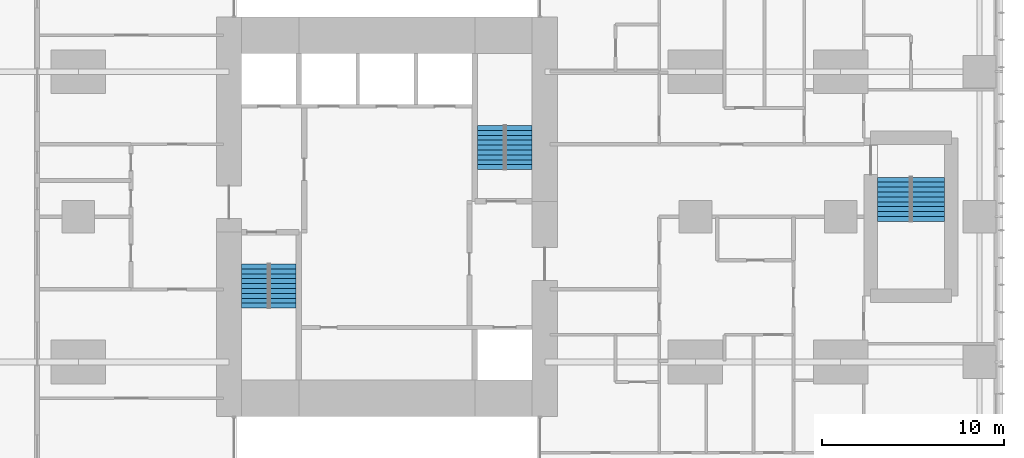
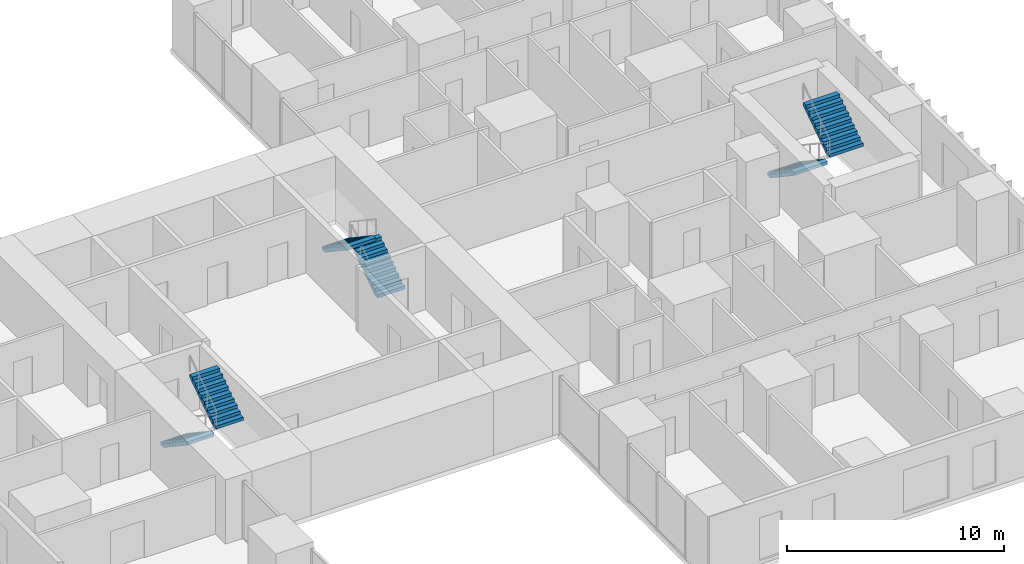
# One storey, part 14 of 15: 6 stair flights, 3 elements without a shape of their own.
"""IFC4 building model written with IfcOpenShell, lengths in metres."""

import ifcopenshell
import ifcopenshell.guid

model = None  # the IFC model being written
_history = None  # IfcOwnerHistory: only IFC2X3 demands one
_inside = {}  # id of a spatial element -> (the spatial element, [elements in it])
_under = {}  # id of a project, library or spatial element -> (it, [spatial elements below it])
_declared = {}  # id of a project -> (the project, [libraries it declares])
_typed = {}  # id of a type object -> (the type object, [elements of that type])
_made_of = {}  # id of a material, layer set ... -> (it, [elements and type objects made of it])


def new_model(schema):
    """Start an empty IFC model of exactly this schema.

    Asked for "IFC4X3", IfcOpenShell would pick the latest addendum, in which some entities
    have other attributes; the version numbers below select the first issue.
    IFC2X3 requires an IfcOwnerHistory on every rooted entity: one is made here for all.
    """
    global model, _history
    if schema == "IFC4X3":
        model = ifcopenshell.file(schema_version=(4, 3, 0, 0))
    else:
        model = ifcopenshell.file(schema=schema)
    _inside.clear()
    _under.clear()
    _declared.clear()
    _typed.clear()
    _made_of.clear()
    _history = None
    if model.schema == "IFC2X3":
        org = make("IfcOrganization", Name="unknown")
        user = make(
            "IfcPersonAndOrganization",
            ThePerson=make("IfcPerson", FamilyName="unknown"),
            TheOrganization=org,
        )
        app = make(
            "IfcApplication",
            ApplicationDeveloper=org,
            Version="unknown",
            ApplicationFullName="unknown",
            ApplicationIdentifier="unknown",
        )
        _history = make(
            "IfcOwnerHistory",
            OwningUser=user,
            OwningApplication=app,
            ChangeAction="ADDED",
            CreationDate=0,
        )
    return model


def make(cls, **values):
    """One entity of the class cls with the attributes given. An attribute that is None is left unset."""
    return model.create_entity(
        cls, **{name: value for name, value in values.items() if value is not None}
    )


def rooted(cls, **values):
    """An entity with a GlobalId (a new one), such as an element, a storey or a relation."""
    return make(cls, GlobalId=ifcopenshell.guid.new(), OwnerHistory=_history, **values)


def si_unit(unit_type, name, prefix=None):
    """IfcSIUnit, for example si_unit("LENGTHUNIT", "METRE", prefix="MILLI")."""
    return make("IfcSIUnit", UnitType=unit_type, Prefix=prefix, Name=name)


def assignment(units):
    """IfcUnitAssignment: the units of a project."""
    return None if units is None else make("IfcUnitAssignment", Units=units)


def point(xyz):
    """IfcCartesianPoint."""
    return None if xyz is None else make("IfcCartesianPoint", Coordinates=xyz)


def direction(xyz):
    """IfcDirection."""
    return None if xyz is None else make("IfcDirection", DirectionRatios=xyz)


def frame(location, z_axis=None, x_axis=None):
    """IfcAxis2Placement3D, a coordinate frame: its origin and axes. An axis left out is left unset."""
    return make(
        "IfcAxis2Placement3D",
        Location=point(location),
        Axis=direction(z_axis),
        RefDirection=direction(x_axis),
    )


def origin():
    """The frame at (0, 0, 0) with its axes left unset."""
    return frame((0.0, 0.0, 0.0))


def place(relative_to, where):
    """IfcLocalPlacement: puts the frame where relative to a parent placement (None: the world)."""
    return make(
        "IfcLocalPlacement", PlacementRelTo=relative_to, RelativePlacement=where
    )


def context(
    kind, dimensions, precision=None, world=None, true_north=None, identifier=None
):
    """IfcGeometricRepresentationContext, for example the 3D "Model" context."""
    return make(
        "IfcGeometricRepresentationContext",
        ContextIdentifier=identifier,
        ContextType=kind,
        CoordinateSpaceDimension=dimensions,
        Precision=precision,
        WorldCoordinateSystem=world,
        TrueNorth=true_north,
    )


def subcontext(parent, identifier, kind, view, scale=None):
    """IfcGeometricRepresentationSubContext, for example "Body" below "Model"."""
    return make(
        "IfcGeometricRepresentationSubContext",
        ContextIdentifier=identifier,
        ContextType=kind,
        ParentContext=parent,
        TargetScale=scale,
        TargetView=view,
    )


def project(units=None, contexts=None):
    """IfcProject with its units and contexts."""
    return rooted(
        "IfcProject",
        Name="project",
        RepresentationContexts=contexts,
        UnitsInContext=assignment(units),
    )


def spatial(cls, under=None, at=None, **own):
    """A site, building, storey or space (cls), placed at a placement, below another one or the project."""
    s = rooted(cls, ObjectPlacement=at, **own)
    if under is not None:
        _under.setdefault(under.id(), (under, []))[1].append(s)
    return s


def polyline(points):
    """IfcPolyline through the points."""
    return make("IfcPolyline", Points=[point(p) for p in points])


def outline(outer, holes=None, kind="AREA"):
    """IfcArbitraryClosedProfileDef: a profile drawn as a closed curve; with holes, ...WithVoids."""
    if holes is None:
        return make("IfcArbitraryClosedProfileDef", ProfileType=kind, OuterCurve=outer)
    return make(
        "IfcArbitraryProfileDefWithVoids",
        ProfileType=kind,
        OuterCurve=outer,
        InnerCurves=holes,
    )


def extrude(swept, where, along, depth):
    """IfcExtrudedAreaSolid: the profile swept, set in the frame where, extruded along a direction by depth."""
    return make(
        "IfcExtrudedAreaSolid",
        SweptArea=swept,
        Position=where,
        ExtrudedDirection=direction(along),
        Depth=depth,
    )


def shape(context_of_items, identifier, shape_type, items):
    """IfcShapeRepresentation: the items that make up one representation, for example the "Body"."""
    return make(
        "IfcShapeRepresentation",
        ContextOfItems=context_of_items,
        RepresentationIdentifier=identifier,
        RepresentationType=shape_type,
        Items=items,
    )


def material(Name=None, Category=None):
    """IfcMaterial."""
    return make("IfcMaterial", Name=Name, Category=Category)


def made_of(thing, what):
    """Note that an element or type object is made of a material, layer set ...; save() writes the relation."""
    if what is not None:
        _made_of.setdefault(what.id(), (what, []))[1].append(thing)
    return thing


def type_object(cls, material=None, **own):
    """A type object (cls), such as IfcWallType, which elements share."""
    return made_of(rooted(cls, **own), material)


def element(
    cls,
    number,
    at=None,
    inside=None,
    cuts=None,
    type_object=None,
    material=None,
    context=None,
    identifier="Body",
    shape_type=None,
    held_by="IfcProductDefinitionShape",
    body=None,
    shapes=None,
    **own,
):
    """One element of the class cls, such as IfcWall. Its Tag is "e" and its number.

    at: its placement. inside: the storey or other place that contains it. cuts: it is an
    opening in that element (IfcRelVoidsElement). A single representation is given by context,
    identifier, shape_type and body (its items); several are given by shapes. held_by: the class
    of the entity that holds the representations. save() writes the other relations.
    """
    e = rooted(cls, Tag="e%d" % number, ObjectPlacement=at, **own)
    if body is not None:
        shapes = [shape(context, identifier, shape_type, body)]
    if shapes is not None:
        e.Representation = make(held_by, Representations=shapes)
    if inside is not None:
        _inside.setdefault(inside.id(), (inside, []))[1].append(e)
    if cuts is not None:
        rooted(
            "IfcRelVoidsElement", RelatingBuildingElement=cuts, RelatedOpeningElement=e
        )
    if type_object is not None:
        _typed.setdefault(type_object.id(), (type_object, []))[1].append(e)
    return made_of(e, material)


def aggregate(whole, parts):
    """IfcRelAggregates: a whole, such as a stair, and the parts it consists of."""
    return rooted("IfcRelAggregates", RelatingObject=whole, RelatedObjects=parts)


def save(model, path):
    """Write the relations noted so far, then the file.

    IfcRelAggregates (storeys below a building ...), IfcRelContainedInSpatialStructure (elements
    in a storey), IfcRelDefinesByType, IfcRelAssociatesMaterial and IfcRelDeclares: one each for
    every whole, place, type object, material and project.
    """
    for whole, parts in _under.values():
        aggregate(whole, parts)
    for where, things in _inside.values():
        rooted(
            "IfcRelContainedInSpatialStructure",
            RelatedElements=things,
            RelatingStructure=where,
        )
    for kind, things in _typed.values():
        rooted("IfcRelDefinesByType", RelatedObjects=things, RelatingType=kind)
    for what, things in _made_of.values():
        rooted("IfcRelAssociatesMaterial", RelatedObjects=things, RelatingMaterial=what)
    for by, libraries in _declared.values():
        rooted("IfcRelDeclares", RelatingContext=by, RelatedDefinitions=libraries)
    model.write(path)


model = new_model("IFC4")

# Units and contexts
model_context = context("Model", 3, precision=1e-05, world=origin(), true_north=direction((0.0, 1.0)))
body_context = subcontext(model_context, "Body", "Model", "MODEL_VIEW")
ifc_project = project(units=[si_unit("LENGTHUNIT", "METRE"), si_unit("AREAUNIT", "SQUARE_METRE"), si_unit("VOLUMEUNIT", "CUBIC_METRE"), si_unit("PLANEANGLEUNIT", "RADIAN"), si_unit("MASSUNIT", "GRAM", prefix="KILO")], contexts=[model_context])

# Site, building, storey
site_placement = place(None, origin())
site = spatial("IfcSite", under=ifc_project, at=site_placement, CompositionType="ELEMENT")
building_placement = place(site_placement, origin())
building = spatial("IfcBuilding", under=site, at=building_placement, Name="Cleftline Residences", CompositionType="ELEMENT")
storey_placement = place(building_placement, frame((0.0, 0.0, 221.800048828125)))
storey = spatial("IfcBuildingStorey", under=building, at=storey_placement, Name="L58", CompositionType="ELEMENT", Elevation=221.800048828125)

# Stair, stair flights
ifc_material_1 = material(Name="Concrete B45, stone treads", Category="masonry")
stair_type_1 = type_object("IfcStairType", Name="STAIR A 1450 WIDE 180 RISER", PredefinedType="HALF_TURN_STAIR", material=ifc_material_1)
stair_1_placement = place(storey_placement, origin())
stair_1 = element("IfcStair", 1, at=stair_1_placement, inside=storey, type_object=stair_type_1, Name="Stair A L58", PredefinedType="HALF_TURN_STAIR")
ifc_material_2 = material(Name="Concrete B45", Category="concrete")
stair_flight_type_1 = type_object("IfcStairFlightType", Name="STAIR A FLIGHT 1450X180", PredefinedType="STRAIGHT", material=ifc_material_2)
stair_flight_1_placement = place(storey_placement, frame((25.72509765625, 21.39990234375, 0.0), z_axis=(0.0, 0.0, 1.0), x_axis=(0.0, -1.0, 0.0)))
stair_flight_1 = element("IfcStairFlight", 2, at=stair_flight_1_placement, type_object=stair_flight_type_1, Name="ST-A flight 1", NumberOfRisers=10, NumberOfTreads=9, PredefinedType="STRAIGHT", RiserHeight=0.18, TreadLength=0.27, context=body_context, shape_type="SweptSolid", body=[
    extrude(outline(polyline([(0.0, 0.0), (0.0, 0.013916015625), (0.0, 0.027587890625), (0.0, 0.04150390625), (0.0, 0.055419921875), (0.0, 0.0693359375), (0.0, 0.0830078125), (0.0, 0.096923828125), (0.0, 0.11083984375), (0.0, 0.12451171875), (0.0, 0.138427734375), (0.0, 0.15234375), (0.0, 0.166259765625), (0.0, 0.179931640625), (0.27001953125, 0.179931640625), (0.27001953125, 0.360107421875), (0.5400390625, 0.360107421875), (0.5400390625, 0.5400390625), (0.81005859375, 0.5400390625), (0.81005859375, 0.719970703125), (1.080078125, 0.719970703125), (1.080078125, 0.89990234375), (1.35009765625, 0.89990234375), (1.35009765625, 1.080078125), (1.6201171875, 1.080078125), (1.6201171875, 1.260009765625), (1.889892578125, 1.260009765625), (1.889892578125, 1.43994140625), (2.159912109375, 1.43994140625), (2.159912109375, 1.6201171875), (2.429931640625, 1.6201171875), (2.429931640625, 1.800048828125), (2.429931640625, 1.772216796875), (2.429931640625, 1.74462890625), (2.429931640625, 1.716796875), (2.429931640625, 1.689208984375), (2.429931640625, 1.661376953125), (2.429931640625, 1.6337890625), (2.429931640625, 1.60595703125), (2.429931640625, 1.578369140625), (2.429931640625, 1.550537109375), (2.429931640625, 1.52294921875), (2.429931640625, 1.495361328125), (2.429931640625, 1.467529296875), (2.429931640625, 1.43994140625), (0.270263671875, 0.0), (0.0, 0.0)])), frame((0.0, 0.72509765625, 0.0), z_axis=(0.0, -1.0, 0.0), x_axis=(1.0, 0.0, 0.0)), (0.0, 0.0, 1.0), 1.449951171875),
])
stair_flight_2_placement = place(storey_placement, frame((27.27490234375, 18.969970703125, 1.800048828125), z_axis=(0.0, 0.0, 1.0), x_axis=(0.0, 1.0, 0.0)))
stair_flight_2 = element("IfcStairFlight", 3, at=stair_flight_2_placement, type_object=stair_flight_type_1, Name="ST-A flight 2", NumberOfRisers=10, NumberOfTreads=9, PredefinedType="STRAIGHT", RiserHeight=0.18, TreadLength=0.27, context=body_context, shape_type="SweptSolid", body=[
    extrude(outline(polyline([(0.0, 0.0), (0.0, 0.013916015625), (0.0, 0.027587890625), (0.0, 0.04150390625), (0.0, 0.055419921875), (0.0, 0.0693359375), (0.0, 0.0830078125), (0.0, 0.096923828125), (0.0, 0.11083984375), (0.0, 0.12451171875), (0.0, 0.138427734375), (0.0, 0.15234375), (0.0, 0.166259765625), (0.0, 0.179931640625), (0.27001953125, 0.179931640625), (0.27001953125, 0.360107421875), (0.5400390625, 0.360107421875), (0.5400390625, 0.5400390625), (0.81005859375, 0.5400390625), (0.81005859375, 0.719970703125), (1.080078125, 0.719970703125), (1.080078125, 0.89990234375), (1.35009765625, 0.89990234375), (1.35009765625, 1.080078125), (1.6201171875, 1.080078125), (1.6201171875, 1.260009765625), (1.889892578125, 1.260009765625), (1.889892578125, 1.43994140625), (2.159912109375, 1.43994140625), (2.159912109375, 1.6201171875), (2.429931640625, 1.6201171875), (2.429931640625, 1.800048828125), (2.429931640625, 1.772216796875), (2.429931640625, 1.74462890625), (2.429931640625, 1.716796875), (2.429931640625, 1.689208984375), (2.429931640625, 1.661376953125), (2.429931640625, 1.6337890625), (2.429931640625, 1.60595703125), (2.429931640625, 1.578369140625), (2.429931640625, 1.550537109375), (2.429931640625, 1.52294921875), (2.429931640625, 1.495361328125), (2.429931640625, 1.467529296875), (2.429931640625, 1.43994140625), (0.270263671875, 0.0), (0.0, 0.0)])), frame((0.0, 0.72509765625, 0.0), z_axis=(0.0, -1.0, 0.0), x_axis=(1.0, 0.0, 0.0)), (0.0, 0.0, 1.0), 1.449951171875),
])
aggregate(stair_1, [stair_flight_1, stair_flight_2])

ifc_material_3 = material(Name="Concrete B45, stone treads", Category="masonry")
stair_type_2 = type_object("IfcStairType", Name="STAIR B 1450 WIDE 180 RISER", PredefinedType="HALF_TURN_STAIR", material=ifc_material_3)
stair_2_placement = place(storey_placement, origin())
stair_2 = element("IfcStair", 4, at=stair_2_placement, inside=storey, type_object=stair_type_2, Name="Stair B L58", PredefinedType="HALF_TURN_STAIR")
ifc_material_4 = material(Name="Concrete B45", Category="concrete")
stair_flight_type_2 = type_object("IfcStairFlightType", Name="STAIR B FLIGHT 1450X180", PredefinedType="STRAIGHT", material=ifc_material_4)
stair_flight_3_placement = place(storey_placement, frame((40.27490234375, 26.60009765625, 0.0), z_axis=(0.0, 0.0, 1.0), x_axis=(0.0, 1.0, 0.0)))
stair_flight_3 = element("IfcStairFlight", 5, at=stair_flight_3_placement, type_object=stair_flight_type_2, Name="ST-B flight 1", NumberOfRisers=10, NumberOfTreads=9, PredefinedType="STRAIGHT", RiserHeight=0.18, TreadLength=0.27, context=body_context, shape_type="SweptSolid", body=[
    extrude(outline(polyline([(0.0, 0.0), (0.0, 0.013916015625), (0.0, 0.027587890625), (0.0, 0.04150390625), (0.0, 0.055419921875), (0.0, 0.0693359375), (0.0, 0.0830078125), (0.0, 0.096923828125), (0.0, 0.11083984375), (0.0, 0.12451171875), (0.0, 0.138427734375), (0.0, 0.15234375), (0.0, 0.166259765625), (0.0, 0.179931640625), (0.27001953125, 0.179931640625), (0.27001953125, 0.360107421875), (0.5400390625, 0.360107421875), (0.5400390625, 0.5400390625), (0.81005859375, 0.5400390625), (0.81005859375, 0.719970703125), (1.080078125, 0.719970703125), (1.080078125, 0.89990234375), (1.35009765625, 0.89990234375), (1.35009765625, 1.080078125), (1.6201171875, 1.080078125), (1.6201171875, 1.260009765625), (1.889892578125, 1.260009765625), (1.889892578125, 1.43994140625), (2.159912109375, 1.43994140625), (2.159912109375, 1.6201171875), (2.429931640625, 1.6201171875), (2.429931640625, 1.800048828125), (2.429931640625, 1.772216796875), (2.429931640625, 1.74462890625), (2.429931640625, 1.716796875), (2.429931640625, 1.689208984375), (2.429931640625, 1.661376953125), (2.429931640625, 1.6337890625), (2.429931640625, 1.60595703125), (2.429931640625, 1.578369140625), (2.429931640625, 1.550537109375), (2.429931640625, 1.52294921875), (2.429931640625, 1.495361328125), (2.429931640625, 1.467529296875), (2.429931640625, 1.43994140625), (0.270263671875, 0.0), (0.0, 0.0)])), frame((0.0, 0.72509765625, 0.0), z_axis=(0.0, -1.0, 0.0), x_axis=(1.0, 0.0, 0.0)), (0.0, 0.0, 1.0), 1.449951171875),
])
stair_flight_4_placement = place(storey_placement, frame((38.72509765625, 29.030029296875, 1.800048828125), z_axis=(0.0, 0.0, 1.0), x_axis=(0.0, -1.0, 0.0)))
stair_flight_4 = element("IfcStairFlight", 6, at=stair_flight_4_placement, type_object=stair_flight_type_2, Name="ST-B flight 2", NumberOfRisers=10, NumberOfTreads=9, PredefinedType="STRAIGHT", RiserHeight=0.18, TreadLength=0.27, context=body_context, shape_type="SweptSolid", body=[
    extrude(outline(polyline([(0.0, 0.0), (0.0, 0.013916015625), (0.0, 0.027587890625), (0.0, 0.04150390625), (0.0, 0.055419921875), (0.0, 0.0693359375), (0.0, 0.0830078125), (0.0, 0.096923828125), (0.0, 0.11083984375), (0.0, 0.12451171875), (0.0, 0.138427734375), (0.0, 0.15234375), (0.0, 0.166259765625), (0.0, 0.179931640625), (0.27001953125, 0.179931640625), (0.27001953125, 0.360107421875), (0.5400390625, 0.360107421875), (0.5400390625, 0.5400390625), (0.81005859375, 0.5400390625), (0.81005859375, 0.719970703125), (1.080078125, 0.719970703125), (1.080078125, 0.89990234375), (1.35009765625, 0.89990234375), (1.35009765625, 1.080078125), (1.6201171875, 1.080078125), (1.6201171875, 1.260009765625), (1.889892578125, 1.260009765625), (1.889892578125, 1.43994140625), (2.159912109375, 1.43994140625), (2.159912109375, 1.6201171875), (2.429931640625, 1.6201171875), (2.429931640625, 1.800048828125), (2.429931640625, 1.772216796875), (2.429931640625, 1.74462890625), (2.429931640625, 1.716796875), (2.429931640625, 1.689208984375), (2.429931640625, 1.661376953125), (2.429931640625, 1.6337890625), (2.429931640625, 1.60595703125), (2.429931640625, 1.578369140625), (2.429931640625, 1.550537109375), (2.429931640625, 1.52294921875), (2.429931640625, 1.495361328125), (2.429931640625, 1.467529296875), (2.429931640625, 1.43994140625), (0.270263671875, 0.0), (0.0, 0.0)])), frame((0.0, 0.72509765625, 0.0), z_axis=(0.0, -1.0, 0.0), x_axis=(1.0, 0.0, 0.0)), (0.0, 0.0, 1.0), 1.449951171875),
])
aggregate(stair_2, [stair_flight_3, stair_flight_4])

ifc_material_5 = material(Name="Concrete B45, stone treads", Category="masonry")
stair_type_3 = type_object("IfcStairType", Name="STAIR E 1800 WIDE 180 RISER", PredefinedType="HALF_TURN_STAIR", material=ifc_material_5)
stair_3_placement = place(storey_placement, origin())
stair_3 = element("IfcStair", 7, at=stair_3_placement, inside=storey, type_object=stair_type_3, Name="Stair E L58", PredefinedType="HALF_TURN_STAIR")
ifc_material_6 = material(Name="Concrete B45", Category="concrete")
stair_flight_type_3 = type_object("IfcStairFlightType", Name="STAIR E FLIGHT 1800X180", PredefinedType="STRAIGHT", material=ifc_material_6)
stair_flight_5_placement = place(storey_placement, frame((60.925048828125, 26.175048828125, 0.0), z_axis=(0.0, 0.0, 1.0), x_axis=(0.0, -1.0, 0.0)))
stair_flight_5 = element("IfcStairFlight", 8, at=stair_flight_5_placement, type_object=stair_flight_type_3, Name="ST-E flight 1", NumberOfRisers=10, NumberOfTreads=9, PredefinedType="STRAIGHT", RiserHeight=0.18, TreadLength=0.27, context=body_context, shape_type="SweptSolid", body=[
    extrude(outline(polyline([(0.0, 0.0), (0.0, 0.013916015625), (0.0, 0.027587890625), (0.0, 0.04150390625), (0.0, 0.055419921875), (0.0, 0.0693359375), (0.0, 0.0830078125), (0.0, 0.096923828125), (0.0, 0.11083984375), (0.0, 0.12451171875), (0.0, 0.138427734375), (0.0, 0.15234375), (0.0, 0.166259765625), (0.0, 0.179931640625), (0.27001953125, 0.179931640625), (0.27001953125, 0.360107421875), (0.5400390625, 0.360107421875), (0.5400390625, 0.5400390625), (0.81005859375, 0.5400390625), (0.81005859375, 0.719970703125), (1.080078125, 0.719970703125), (1.080078125, 0.89990234375), (1.35009765625, 0.89990234375), (1.35009765625, 1.080078125), (1.6201171875, 1.080078125), (1.6201171875, 1.260009765625), (1.889892578125, 1.260009765625), (1.889892578125, 1.43994140625), (2.159912109375, 1.43994140625), (2.159912109375, 1.6201171875), (2.429931640625, 1.6201171875), (2.429931640625, 1.800048828125), (2.429931640625, 1.772216796875), (2.429931640625, 1.74462890625), (2.429931640625, 1.716796875), (2.429931640625, 1.689208984375), (2.429931640625, 1.661376953125), (2.429931640625, 1.6337890625), (2.429931640625, 1.60595703125), (2.429931640625, 1.578369140625), (2.429931640625, 1.550537109375), (2.429931640625, 1.52294921875), (2.429931640625, 1.495361328125), (2.429931640625, 1.467529296875), (2.429931640625, 1.43994140625), (0.270263671875, 0.0), (0.0, 0.0)])), frame((0.0, 0.89990234375, 0.0), z_axis=(0.0, -1.0, 0.0), x_axis=(1.0, 0.0, 0.0)), (0.0, 0.0, 1.0), 1.800048828125),
])
stair_flight_6_placement = place(storey_placement, frame((62.824951171875, 23.7451171875, 1.800048828125), z_axis=(0.0, 0.0, 1.0), x_axis=(0.0, 1.0, 0.0)))
stair_flight_6 = element("IfcStairFlight", 9, at=stair_flight_6_placement, type_object=stair_flight_type_3, Name="ST-E flight 2", NumberOfRisers=10, NumberOfTreads=9, PredefinedType="STRAIGHT", RiserHeight=0.18, TreadLength=0.27, context=body_context, shape_type="SweptSolid", body=[
    extrude(outline(polyline([(0.0, 0.0), (0.0, 0.013916015625), (0.0, 0.027587890625), (0.0, 0.04150390625), (0.0, 0.055419921875), (0.0, 0.0693359375), (0.0, 0.0830078125), (0.0, 0.096923828125), (0.0, 0.11083984375), (0.0, 0.12451171875), (0.0, 0.138427734375), (0.0, 0.15234375), (0.0, 0.166259765625), (0.0, 0.179931640625), (0.27001953125, 0.179931640625), (0.27001953125, 0.360107421875), (0.5400390625, 0.360107421875), (0.5400390625, 0.5400390625), (0.81005859375, 0.5400390625), (0.81005859375, 0.719970703125), (1.080078125, 0.719970703125), (1.080078125, 0.89990234375), (1.35009765625, 0.89990234375), (1.35009765625, 1.080078125), (1.6201171875, 1.080078125), (1.6201171875, 1.260009765625), (1.889892578125, 1.260009765625), (1.889892578125, 1.43994140625), (2.159912109375, 1.43994140625), (2.159912109375, 1.6201171875), (2.429931640625, 1.6201171875), (2.429931640625, 1.800048828125), (2.429931640625, 1.772216796875), (2.429931640625, 1.74462890625), (2.429931640625, 1.716796875), (2.429931640625, 1.689208984375), (2.429931640625, 1.661376953125), (2.429931640625, 1.6337890625), (2.429931640625, 1.60595703125), (2.429931640625, 1.578369140625), (2.429931640625, 1.550537109375), (2.429931640625, 1.52294921875), (2.429931640625, 1.495361328125), (2.429931640625, 1.467529296875), (2.429931640625, 1.43994140625), (0.270263671875, 0.0), (0.0, 0.0)])), frame((0.0, 0.89990234375, 0.0), z_axis=(0.0, -1.0, 0.0), x_axis=(1.0, 0.0, 0.0)), (0.0, 0.0, 1.0), 1.800048828125),
])
aggregate(stair_3, [stair_flight_5, stair_flight_6])

save(model, "model.ifc")
